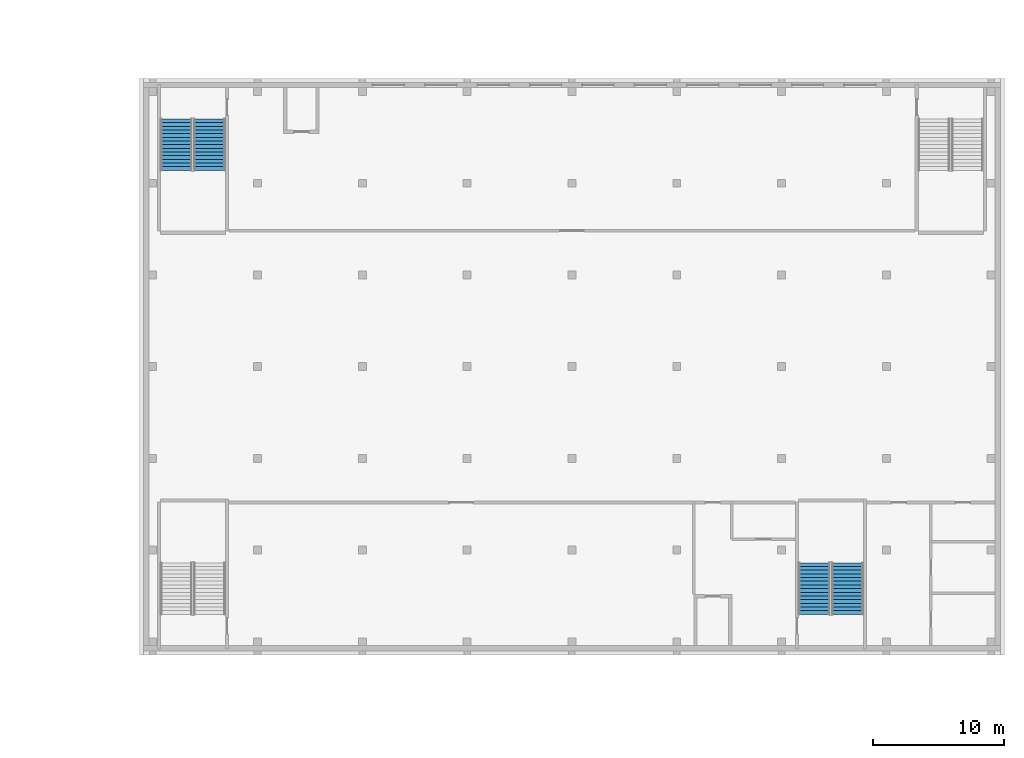
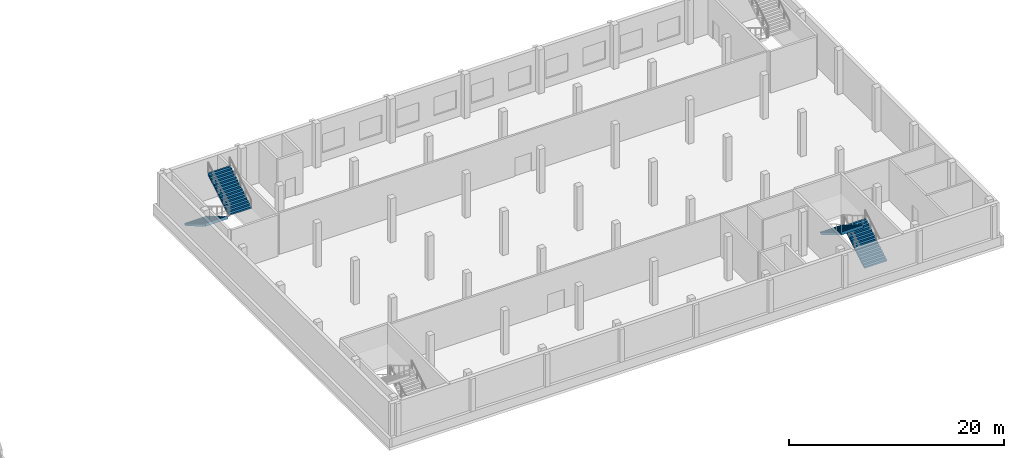
# One storey, part 19 of 32: 4 stair flights, 2 elements without a shape of their own.
"""IFC4 building model written with IfcOpenShell, lengths in metres."""

from ifc_helpers import new_model, si_unit, direction, frame, origin, place, context, subcontext, project, spatial, polyline, outline, extrude, material, type_object, element, aggregate, save


model = new_model("IFC4")

# Units and contexts
model_context = context("Model", 3, precision=1e-05, world=origin(), true_north=direction((0.0, 1.0)))
body_context = subcontext(model_context, "Body", "Model", "MODEL_VIEW")
ifc_project = project(units=[si_unit("LENGTHUNIT", "METRE"), si_unit("AREAUNIT", "SQUARE_METRE"), si_unit("VOLUMEUNIT", "CUBIC_METRE"), si_unit("PLANEANGLEUNIT", "RADIAN"), si_unit("MASSUNIT", "GRAM", prefix="KILO")], contexts=[model_context])

# Site, building, storey
site_placement = place(None, origin())
site = spatial("IfcSite", under=ifc_project, at=site_placement, CompositionType="ELEMENT")
building_placement = place(site_placement, origin())
building = spatial("IfcBuilding", under=site, at=building_placement, Name="Tamorin Gate", CompositionType="ELEMENT")
storey_placement = place(building_placement, frame((0.0, 0.0, 13.5)))
storey = spatial("IfcBuildingStorey", under=building, at=storey_placement, Name="L02", CompositionType="ELEMENT", Elevation=13.5)

# Stair, stair flights
ifc_material = material(Name="Concrete C40/50", Category="concrete")
stair_type = type_object("IfcStairType", Name="Museum exit stair 2400 C40/50", PredefinedType="HALF_TURN_STAIR", material=ifc_material)
stair_1_placement = place(storey_placement, origin())
stair_1 = element("IfcStair", 1, at=stair_1_placement, inside=storey, type_object=stair_type, Name="L02 PS6", PredefinedType="HALF_TURN_STAIR")
stair_flight_type = type_object("IfcStairFlightType", Name="Museum exit stair flight 2400 C40/50", PredefinedType="STRAIGHT", material=ifc_material)
stair_flight_1_placement = place(storey_placement, frame((147.5, 95.60009765625, 0.0), z_axis=(0.0, 0.0, 1.0), x_axis=(0.0, -1.0, 0.0)))
stair_flight_1 = element("IfcStairFlight", 2, at=stair_flight_1_placement, type_object=stair_flight_type, Name="PS6 flight 1", NumberOfRisers=15, NumberOfTreads=14, PredefinedType="STRAIGHT", RiserHeight=0.166666667, TreadLength=0.28, context=body_context, shape_type="SweptSolid", body=[
    extrude(outline(polyline([(-0.00048828125, 0.0), (-0.00048828125, 0.001708984375), (-0.00048828125, 0.00341796875), (-0.00048828125, 0.0048828125), (-0.00048828125, 0.006591796875), (-0.00048828125, 0.00830078125), (-0.00048828125, 0.010009765625), (-0.00048828125, 0.011474609375), (-0.00048828125, 0.01318359375), (-0.00048828125, 0.014892578125), (-0.00048828125, 0.0166015625), (-0.00048828125, 0.01806640625), (-0.00048828125, 0.019775390625), (-0.00048828125, 0.021484375), (-0.00048828125, 0.023193359375), (-0.00048828125, 0.024658203125), (-0.00048828125, 0.0263671875), (-0.00048828125, 0.028076171875), (-0.00048828125, 0.02978515625), (-0.00048828125, 0.03125), (-0.00048828125, 0.032958984375), (-0.00048828125, 0.03466796875), (-0.00048828125, 0.036376953125), (-0.00048828125, 0.037841796875), (-0.00048828125, 0.03955078125), (-0.00048828125, 0.041259765625), (-0.00048828125, 0.04296875), (-0.00048828125, 0.04443359375), (-0.00048828125, 0.046142578125), (-0.00048828125, 0.0478515625), (-0.00048828125, 0.049560546875), (-0.00048828125, 0.05126953125), (-0.00048828125, 0.052734375), (-0.00048828125, 0.054443359375), (-0.00048828125, 0.05615234375), (-0.00048828125, 0.057861328125), (-0.00048828125, 0.059326171875), (-0.00048828125, 0.06103515625), (-0.00048828125, 0.062744140625), (-0.00048828125, 0.064453125), (-0.00048828125, 0.06591796875), (-0.00048828125, 0.067626953125), (-0.00048828125, 0.0693359375), (-0.00048828125, 0.071044921875), (-0.00048828125, 0.072509765625), (-0.00048828125, 0.07421875), (-0.00048828125, 0.075927734375), (-0.00048828125, 0.07763671875), (-0.00048828125, 0.0791015625), (-0.00048828125, 0.080810546875), (-0.00048828125, 0.08251953125), (-0.00048828125, 0.084228515625), (-0.00048828125, 0.085693359375), (-0.00048828125, 0.08740234375), (-0.00048828125, 0.089111328125), (-0.00048828125, 0.0908203125), (-0.00048828125, 0.092529296875), (-0.00048828125, 0.093994140625), (-0.00048828125, 0.095703125), (-0.00048828125, 0.097412109375), (-0.00048828125, 0.09912109375), (-0.00048828125, 0.1005859375), (-0.00048828125, 0.102294921875), (-0.00048828125, 0.10400390625), (-0.00048828125, 0.105712890625), (-0.00048828125, 0.107177734375), (-0.00048828125, 0.10888671875), (-0.00048828125, 0.110595703125), (-0.00048828125, 0.1123046875), (-0.00048828125, 0.11376953125), (-0.00048828125, 0.115478515625), (-0.00048828125, 0.1171875), (-0.00048828125, 0.118896484375), (-0.00048828125, 0.120361328125), (-0.00048828125, 0.1220703125), (-0.00048828125, 0.123779296875), (-0.00048828125, 0.12548828125), (-0.00048828125, 0.126953125), (-0.00048828125, 0.128662109375), (-0.00048828125, 0.13037109375), (-0.00048828125, 0.132080078125), (-0.00048828125, 0.133544921875), (-0.00048828125, 0.13525390625), (-0.00048828125, 0.136962890625), (-0.00048828125, 0.138671875), (-0.00048828125, 0.140380859375), (-0.00048828125, 0.141845703125), (-0.00048828125, 0.1435546875), (-0.00048828125, 0.145263671875), (-0.00048828125, 0.14697265625), (-0.00048828125, 0.1484375), (-0.00048828125, 0.150146484375), (-0.00048828125, 0.15185546875), (-0.00048828125, 0.153564453125), (-0.00048828125, 0.155029296875), (-0.00048828125, 0.15673828125), (-0.00048828125, 0.158447265625), (-0.00048828125, 0.16015625), (-0.00048828125, 0.16162109375), (-0.00048828125, 0.163330078125), (-0.00048828125, 0.1650390625), (-0.00048828125, 0.166748046875), (0.280029296875, 0.166748046875), (0.280029296875, 0.333251953125), (0.56005859375, 0.333251953125), (0.56005859375, 0.5), (0.840087890625, 0.5), (0.840087890625, 0.666748046875), (1.1201171875, 0.666748046875), (1.1201171875, 0.833251953125), (1.39990234375, 0.833251953125), (1.39990234375, 1.0), (1.679931640625, 1.0), (1.679931640625, 1.166748046875), (1.9599609375, 1.166748046875), (1.9599609375, 1.333251953125), (2.239990234375, 1.333251953125), (2.239990234375, 1.5), (2.52001953125, 1.5), (2.52001953125, 1.666748046875), (2.800048828125, 1.666748046875), (2.800048828125, 1.833251953125), (3.080078125, 1.833251953125), (3.080078125, 2.0), (3.360107421875, 2.0), (3.360107421875, 2.166748046875), (3.639892578125, 2.166748046875), (3.639892578125, 2.333251953125), (3.919921875, 2.333251953125), (3.919921875, 2.5), (3.92041015625, 2.5), (3.92041015625, 2.49658203125), (3.92041015625, 2.4931640625), (3.92041015625, 2.48974609375), (3.92041015625, 2.486572265625), (3.92041015625, 2.483154296875), (3.92041015625, 2.479736328125), (3.92041015625, 2.476318359375), (3.92041015625, 2.472900390625), (3.92041015625, 2.469482421875), (3.92041015625, 2.46630859375), (3.92041015625, 2.462890625), (3.92041015625, 2.45947265625), (3.92041015625, 2.4560546875), (3.92041015625, 2.45263671875), (3.92041015625, 2.44921875), (3.92041015625, 2.446044921875), (3.92041015625, 2.442626953125), (3.92041015625, 2.439208984375), (3.92041015625, 2.435791015625), (3.92041015625, 2.432373046875), (3.92041015625, 2.428955078125), (3.92041015625, 2.42578125), (3.92041015625, 2.42236328125), (3.92041015625, 2.4189453125), (3.92041015625, 2.41552734375), (3.92041015625, 2.412109375), (3.92041015625, 2.40869140625), (3.92041015625, 2.405517578125), (3.92041015625, 2.402099609375), (3.92041015625, 2.398681640625), (3.92041015625, 2.395263671875), (3.92041015625, 2.391845703125), (3.92041015625, 2.388427734375), (3.92041015625, 2.38525390625), (3.92041015625, 2.3818359375), (3.92041015625, 2.37841796875), (3.92041015625, 2.375), (3.92041015625, 2.37158203125), (3.92041015625, 2.3681640625), (3.92041015625, 2.364990234375), (3.92041015625, 2.361572265625), (3.92041015625, 2.358154296875), (3.92041015625, 2.354736328125), (3.92041015625, 2.351318359375), (3.92041015625, 2.347900390625), (3.92041015625, 2.3447265625), (3.92041015625, 2.34130859375), (3.92041015625, 2.337890625), (3.92041015625, 2.33447265625), (3.92041015625, 2.3310546875), (3.92041015625, 2.32763671875), (3.92041015625, 2.324462890625), (3.92041015625, 2.321044921875), (3.92041015625, 2.317626953125), (3.92041015625, 2.314208984375), (3.92041015625, 2.310791015625), (3.92041015625, 2.307373046875), (3.92041015625, 2.30419921875), (3.92041015625, 2.30078125), (3.92041015625, 2.29736328125), (3.92041015625, 2.2939453125), (3.92041015625, 2.29052734375), (3.92041015625, 2.287109375), (3.92041015625, 2.283935546875), (3.92041015625, 2.280517578125), (3.92041015625, 2.277099609375), (3.92041015625, 2.273681640625), (3.92041015625, 2.270263671875), (3.92041015625, 2.266845703125), (3.92041015625, 2.263671875), (3.92041015625, 2.26025390625), (3.92041015625, 2.2568359375), (3.92041015625, 2.25341796875), (3.92041015625, 2.25), (3.92041015625, 2.24658203125), (3.92041015625, 2.243408203125), (3.92041015625, 2.239990234375), (3.92041015625, 2.236572265625), (3.92041015625, 2.233154296875), (3.92041015625, 2.229736328125), (3.92041015625, 2.226318359375), (3.92041015625, 2.22314453125), (3.92041015625, 2.2197265625), (3.92041015625, 2.21630859375), (3.92041015625, 2.212890625), (3.92041015625, 2.20947265625), (3.92041015625, 2.2060546875), (3.92041015625, 2.202880859375), (3.92041015625, 2.199462890625), (3.92041015625, 2.196044921875), (3.92041015625, 2.192626953125), (3.92041015625, 2.189208984375), (3.92041015625, 2.185791015625), (3.92041015625, 2.1826171875), (3.92041015625, 2.17919921875), (3.92041015625, 2.17578125), (3.92041015625, 2.17236328125), (3.92041015625, 2.1689453125), (3.92041015625, 2.16552734375), (3.92041015625, 2.162353515625), (3.92041015625, 2.158935546875), (3.919921875, 2.158935546875), (0.29296875, 0.0), (-0.00048828125, 0.0)])), frame((0.0, 1.199951171875, 0.0), z_axis=(0.0, -1.0, 0.0), x_axis=(1.0, 0.0, 0.0)), (0.0, 0.0, 1.0), 2.39990234375),
])
stair_flight_2_placement = place(storey_placement, frame((150.050048828125, 91.679931640625, 2.5), z_axis=(0.0, 0.0, 1.0), x_axis=(0.0, 1.0, 0.0)))
stair_flight_2 = element("IfcStairFlight", 3, at=stair_flight_2_placement, type_object=stair_flight_type, Name="PS6 flight 2", NumberOfRisers=15, NumberOfTreads=14, PredefinedType="STRAIGHT", RiserHeight=0.166666667, TreadLength=0.28, context=body_context, shape_type="SweptSolid", body=[
    extrude(outline(polyline([(-0.00048828125, 0.0), (-0.00048828125, 0.001708984375), (-0.00048828125, 0.00341796875), (-0.00048828125, 0.0048828125), (-0.00048828125, 0.006591796875), (-0.00048828125, 0.00830078125), (-0.00048828125, 0.010009765625), (-0.00048828125, 0.011474609375), (-0.00048828125, 0.01318359375), (-0.00048828125, 0.014892578125), (-0.00048828125, 0.0166015625), (-0.00048828125, 0.01806640625), (-0.00048828125, 0.019775390625), (-0.00048828125, 0.021484375), (-0.00048828125, 0.023193359375), (-0.00048828125, 0.024658203125), (-0.00048828125, 0.0263671875), (-0.00048828125, 0.028076171875), (-0.00048828125, 0.02978515625), (-0.00048828125, 0.03125), (-0.00048828125, 0.032958984375), (-0.00048828125, 0.03466796875), (-0.00048828125, 0.036376953125), (-0.00048828125, 0.037841796875), (-0.00048828125, 0.03955078125), (-0.00048828125, 0.041259765625), (-0.00048828125, 0.04296875), (-0.00048828125, 0.04443359375), (-0.00048828125, 0.046142578125), (-0.00048828125, 0.0478515625), (-0.00048828125, 0.049560546875), (-0.00048828125, 0.05126953125), (-0.00048828125, 0.052734375), (-0.00048828125, 0.054443359375), (-0.00048828125, 0.05615234375), (-0.00048828125, 0.057861328125), (-0.00048828125, 0.059326171875), (-0.00048828125, 0.06103515625), (-0.00048828125, 0.062744140625), (-0.00048828125, 0.064453125), (-0.00048828125, 0.06591796875), (-0.00048828125, 0.067626953125), (-0.00048828125, 0.0693359375), (-0.00048828125, 0.071044921875), (-0.00048828125, 0.072509765625), (-0.00048828125, 0.07421875), (-0.00048828125, 0.075927734375), (-0.00048828125, 0.07763671875), (-0.00048828125, 0.0791015625), (-0.00048828125, 0.080810546875), (-0.00048828125, 0.08251953125), (-0.00048828125, 0.084228515625), (-0.00048828125, 0.085693359375), (-0.00048828125, 0.08740234375), (-0.00048828125, 0.089111328125), (-0.00048828125, 0.0908203125), (-0.00048828125, 0.092529296875), (-0.00048828125, 0.093994140625), (-0.00048828125, 0.095703125), (-0.00048828125, 0.097412109375), (-0.00048828125, 0.09912109375), (-0.00048828125, 0.1005859375), (-0.00048828125, 0.102294921875), (-0.00048828125, 0.10400390625), (-0.00048828125, 0.105712890625), (-0.00048828125, 0.107177734375), (-0.00048828125, 0.10888671875), (-0.00048828125, 0.110595703125), (-0.00048828125, 0.1123046875), (-0.00048828125, 0.11376953125), (-0.00048828125, 0.115478515625), (-0.00048828125, 0.1171875), (-0.00048828125, 0.118896484375), (-0.00048828125, 0.120361328125), (-0.00048828125, 0.1220703125), (-0.00048828125, 0.123779296875), (-0.00048828125, 0.12548828125), (-0.00048828125, 0.126953125), (-0.00048828125, 0.128662109375), (-0.00048828125, 0.13037109375), (-0.00048828125, 0.132080078125), (-0.00048828125, 0.133544921875), (-0.00048828125, 0.13525390625), (-0.00048828125, 0.136962890625), (-0.00048828125, 0.138671875), (-0.00048828125, 0.140380859375), (-0.00048828125, 0.141845703125), (-0.00048828125, 0.1435546875), (-0.00048828125, 0.145263671875), (-0.00048828125, 0.14697265625), (-0.00048828125, 0.1484375), (-0.00048828125, 0.150146484375), (-0.00048828125, 0.15185546875), (-0.00048828125, 0.153564453125), (-0.00048828125, 0.155029296875), (-0.00048828125, 0.15673828125), (-0.00048828125, 0.158447265625), (-0.00048828125, 0.16015625), (-0.00048828125, 0.16162109375), (-0.00048828125, 0.163330078125), (-0.00048828125, 0.1650390625), (-0.00048828125, 0.166748046875), (0.280029296875, 0.166748046875), (0.280029296875, 0.333251953125), (0.56005859375, 0.333251953125), (0.56005859375, 0.5), (0.840087890625, 0.5), (0.840087890625, 0.666748046875), (1.1201171875, 0.666748046875), (1.1201171875, 0.833251953125), (1.39990234375, 0.833251953125), (1.39990234375, 1.0), (1.679931640625, 1.0), (1.679931640625, 1.166748046875), (1.9599609375, 1.166748046875), (1.9599609375, 1.333251953125), (2.239990234375, 1.333251953125), (2.239990234375, 1.5), (2.52001953125, 1.5), (2.52001953125, 1.666748046875), (2.800048828125, 1.666748046875), (2.800048828125, 1.833251953125), (3.080078125, 1.833251953125), (3.080078125, 2.0), (3.360107421875, 2.0), (3.360107421875, 2.166748046875), (3.639892578125, 2.166748046875), (3.639892578125, 2.333251953125), (3.919921875, 2.333251953125), (3.919921875, 2.5), (3.92041015625, 2.5), (3.92041015625, 2.49658203125), (3.92041015625, 2.4931640625), (3.92041015625, 2.48974609375), (3.92041015625, 2.486572265625), (3.92041015625, 2.483154296875), (3.92041015625, 2.479736328125), (3.92041015625, 2.476318359375), (3.92041015625, 2.472900390625), (3.92041015625, 2.469482421875), (3.92041015625, 2.46630859375), (3.92041015625, 2.462890625), (3.92041015625, 2.45947265625), (3.92041015625, 2.4560546875), (3.92041015625, 2.45263671875), (3.92041015625, 2.44921875), (3.92041015625, 2.446044921875), (3.92041015625, 2.442626953125), (3.92041015625, 2.439208984375), (3.92041015625, 2.435791015625), (3.92041015625, 2.432373046875), (3.92041015625, 2.428955078125), (3.92041015625, 2.42578125), (3.92041015625, 2.42236328125), (3.92041015625, 2.4189453125), (3.92041015625, 2.41552734375), (3.92041015625, 2.412109375), (3.92041015625, 2.40869140625), (3.92041015625, 2.405517578125), (3.92041015625, 2.402099609375), (3.92041015625, 2.398681640625), (3.92041015625, 2.395263671875), (3.92041015625, 2.391845703125), (3.92041015625, 2.388427734375), (3.92041015625, 2.38525390625), (3.92041015625, 2.3818359375), (3.92041015625, 2.37841796875), (3.92041015625, 2.375), (3.92041015625, 2.37158203125), (3.92041015625, 2.3681640625), (3.92041015625, 2.364990234375), (3.92041015625, 2.361572265625), (3.92041015625, 2.358154296875), (3.92041015625, 2.354736328125), (3.92041015625, 2.351318359375), (3.92041015625, 2.347900390625), (3.92041015625, 2.3447265625), (3.92041015625, 2.34130859375), (3.92041015625, 2.337890625), (3.92041015625, 2.33447265625), (3.92041015625, 2.3310546875), (3.92041015625, 2.32763671875), (3.92041015625, 2.324462890625), (3.92041015625, 2.321044921875), (3.92041015625, 2.317626953125), (3.92041015625, 2.314208984375), (3.92041015625, 2.310791015625), (3.92041015625, 2.307373046875), (3.92041015625, 2.30419921875), (3.92041015625, 2.30078125), (3.92041015625, 2.29736328125), (3.92041015625, 2.2939453125), (3.92041015625, 2.29052734375), (3.92041015625, 2.287109375), (3.92041015625, 2.283935546875), (3.92041015625, 2.280517578125), (3.92041015625, 2.277099609375), (3.92041015625, 2.273681640625), (3.92041015625, 2.270263671875), (3.92041015625, 2.266845703125), (3.92041015625, 2.263671875), (3.92041015625, 2.26025390625), (3.92041015625, 2.2568359375), (3.92041015625, 2.25341796875), (3.92041015625, 2.25), (3.92041015625, 2.24658203125), (3.92041015625, 2.243408203125), (3.92041015625, 2.239990234375), (3.92041015625, 2.236572265625), (3.92041015625, 2.233154296875), (3.92041015625, 2.229736328125), (3.92041015625, 2.226318359375), (3.92041015625, 2.22314453125), (3.92041015625, 2.2197265625), (3.92041015625, 2.21630859375), (3.92041015625, 2.212890625), (3.92041015625, 2.20947265625), (3.92041015625, 2.2060546875), (3.92041015625, 2.202880859375), (3.92041015625, 2.199462890625), (3.92041015625, 2.196044921875), (3.92041015625, 2.192626953125), (3.92041015625, 2.189208984375), (3.92041015625, 2.185791015625), (3.92041015625, 2.1826171875), (3.92041015625, 2.17919921875), (3.92041015625, 2.17578125), (3.92041015625, 2.17236328125), (3.92041015625, 2.1689453125), (3.92041015625, 2.16552734375), (3.92041015625, 2.162353515625), (3.92041015625, 2.158935546875), (3.919921875, 2.158935546875), (0.29296875, 0.0), (-0.00048828125, 0.0)])), frame((0.0, 1.199951171875, 0.0), z_axis=(0.0, -1.0, 0.0), x_axis=(1.0, 0.0, 0.0)), (0.0, 0.0, 1.0), 2.39990234375),
])
aggregate(stair_1, [stair_flight_1, stair_flight_2])

stair_2_placement = place(storey_placement, origin())
stair_2 = element("IfcStair", 4, at=stair_2_placement, inside=storey, type_object=stair_type, Name="L02 PS7", PredefinedType="HALF_TURN_STAIR")
stair_flight_3_placement = place(storey_placement, frame((198.75, 57.800048828125, 0.0), z_axis=(0.0, 0.0, 1.0), x_axis=(0.0, 1.0, 0.0)))
stair_flight_3 = element("IfcStairFlight", 5, at=stair_flight_3_placement, type_object=stair_flight_type, Name="PS7 flight 1", NumberOfRisers=15, NumberOfTreads=14, PredefinedType="STRAIGHT", RiserHeight=0.166666667, TreadLength=0.28, context=body_context, shape_type="SweptSolid", body=[
    extrude(outline(polyline([(-0.00048828125, 0.0), (-0.00048828125, 0.001708984375), (-0.00048828125, 0.00341796875), (-0.00048828125, 0.0048828125), (-0.00048828125, 0.006591796875), (-0.00048828125, 0.00830078125), (-0.00048828125, 0.010009765625), (-0.00048828125, 0.011474609375), (-0.00048828125, 0.01318359375), (-0.00048828125, 0.014892578125), (-0.00048828125, 0.0166015625), (-0.00048828125, 0.01806640625), (-0.00048828125, 0.019775390625), (-0.00048828125, 0.021484375), (-0.00048828125, 0.023193359375), (-0.00048828125, 0.024658203125), (-0.00048828125, 0.0263671875), (-0.00048828125, 0.028076171875), (-0.00048828125, 0.02978515625), (-0.00048828125, 0.03125), (-0.00048828125, 0.032958984375), (-0.00048828125, 0.03466796875), (-0.00048828125, 0.036376953125), (-0.00048828125, 0.037841796875), (-0.00048828125, 0.03955078125), (-0.00048828125, 0.041259765625), (-0.00048828125, 0.04296875), (-0.00048828125, 0.04443359375), (-0.00048828125, 0.046142578125), (-0.00048828125, 0.0478515625), (-0.00048828125, 0.049560546875), (-0.00048828125, 0.05126953125), (-0.00048828125, 0.052734375), (-0.00048828125, 0.054443359375), (-0.00048828125, 0.05615234375), (-0.00048828125, 0.057861328125), (-0.00048828125, 0.059326171875), (-0.00048828125, 0.06103515625), (-0.00048828125, 0.062744140625), (-0.00048828125, 0.064453125), (-0.00048828125, 0.06591796875), (-0.00048828125, 0.067626953125), (-0.00048828125, 0.0693359375), (-0.00048828125, 0.071044921875), (-0.00048828125, 0.072509765625), (-0.00048828125, 0.07421875), (-0.00048828125, 0.075927734375), (-0.00048828125, 0.07763671875), (-0.00048828125, 0.0791015625), (-0.00048828125, 0.080810546875), (-0.00048828125, 0.08251953125), (-0.00048828125, 0.084228515625), (-0.00048828125, 0.085693359375), (-0.00048828125, 0.08740234375), (-0.00048828125, 0.089111328125), (-0.00048828125, 0.0908203125), (-0.00048828125, 0.092529296875), (-0.00048828125, 0.093994140625), (-0.00048828125, 0.095703125), (-0.00048828125, 0.097412109375), (-0.00048828125, 0.09912109375), (-0.00048828125, 0.1005859375), (-0.00048828125, 0.102294921875), (-0.00048828125, 0.10400390625), (-0.00048828125, 0.105712890625), (-0.00048828125, 0.107177734375), (-0.00048828125, 0.10888671875), (-0.00048828125, 0.110595703125), (-0.00048828125, 0.1123046875), (-0.00048828125, 0.11376953125), (-0.00048828125, 0.115478515625), (-0.00048828125, 0.1171875), (-0.00048828125, 0.118896484375), (-0.00048828125, 0.120361328125), (-0.00048828125, 0.1220703125), (-0.00048828125, 0.123779296875), (-0.00048828125, 0.12548828125), (-0.00048828125, 0.126953125), (-0.00048828125, 0.128662109375), (-0.00048828125, 0.13037109375), (-0.00048828125, 0.132080078125), (-0.00048828125, 0.133544921875), (-0.00048828125, 0.13525390625), (-0.00048828125, 0.136962890625), (-0.00048828125, 0.138671875), (-0.00048828125, 0.140380859375), (-0.00048828125, 0.141845703125), (-0.00048828125, 0.1435546875), (-0.00048828125, 0.145263671875), (-0.00048828125, 0.14697265625), (-0.00048828125, 0.1484375), (-0.00048828125, 0.150146484375), (-0.00048828125, 0.15185546875), (-0.00048828125, 0.153564453125), (-0.00048828125, 0.155029296875), (-0.00048828125, 0.15673828125), (-0.00048828125, 0.158447265625), (-0.00048828125, 0.16015625), (-0.00048828125, 0.16162109375), (-0.00048828125, 0.163330078125), (-0.00048828125, 0.1650390625), (-0.00048828125, 0.166748046875), (0.280029296875, 0.166748046875), (0.280029296875, 0.333251953125), (0.56005859375, 0.333251953125), (0.56005859375, 0.5), (0.840087890625, 0.5), (0.840087890625, 0.666748046875), (1.1201171875, 0.666748046875), (1.1201171875, 0.833251953125), (1.39990234375, 0.833251953125), (1.39990234375, 1.0), (1.679931640625, 1.0), (1.679931640625, 1.166748046875), (1.9599609375, 1.166748046875), (1.9599609375, 1.333251953125), (2.239990234375, 1.333251953125), (2.239990234375, 1.5), (2.52001953125, 1.5), (2.52001953125, 1.666748046875), (2.800048828125, 1.666748046875), (2.800048828125, 1.833251953125), (3.080078125, 1.833251953125), (3.080078125, 2.0), (3.360107421875, 2.0), (3.360107421875, 2.166748046875), (3.639892578125, 2.166748046875), (3.639892578125, 2.333251953125), (3.919921875, 2.333251953125), (3.919921875, 2.5), (3.92041015625, 2.5), (3.92041015625, 2.49658203125), (3.92041015625, 2.4931640625), (3.92041015625, 2.48974609375), (3.92041015625, 2.486572265625), (3.92041015625, 2.483154296875), (3.92041015625, 2.479736328125), (3.92041015625, 2.476318359375), (3.92041015625, 2.472900390625), (3.92041015625, 2.469482421875), (3.92041015625, 2.46630859375), (3.92041015625, 2.462890625), (3.92041015625, 2.45947265625), (3.92041015625, 2.4560546875), (3.92041015625, 2.45263671875), (3.92041015625, 2.44921875), (3.92041015625, 2.446044921875), (3.92041015625, 2.442626953125), (3.92041015625, 2.439208984375), (3.92041015625, 2.435791015625), (3.92041015625, 2.432373046875), (3.92041015625, 2.428955078125), (3.92041015625, 2.42578125), (3.92041015625, 2.42236328125), (3.92041015625, 2.4189453125), (3.92041015625, 2.41552734375), (3.92041015625, 2.412109375), (3.92041015625, 2.40869140625), (3.92041015625, 2.405517578125), (3.92041015625, 2.402099609375), (3.92041015625, 2.398681640625), (3.92041015625, 2.395263671875), (3.92041015625, 2.391845703125), (3.92041015625, 2.388427734375), (3.92041015625, 2.38525390625), (3.92041015625, 2.3818359375), (3.92041015625, 2.37841796875), (3.92041015625, 2.375), (3.92041015625, 2.37158203125), (3.92041015625, 2.3681640625), (3.92041015625, 2.364990234375), (3.92041015625, 2.361572265625), (3.92041015625, 2.358154296875), (3.92041015625, 2.354736328125), (3.92041015625, 2.351318359375), (3.92041015625, 2.347900390625), (3.92041015625, 2.3447265625), (3.92041015625, 2.34130859375), (3.92041015625, 2.337890625), (3.92041015625, 2.33447265625), (3.92041015625, 2.3310546875), (3.92041015625, 2.32763671875), (3.92041015625, 2.324462890625), (3.92041015625, 2.321044921875), (3.92041015625, 2.317626953125), (3.92041015625, 2.314208984375), (3.92041015625, 2.310791015625), (3.92041015625, 2.307373046875), (3.92041015625, 2.30419921875), (3.92041015625, 2.30078125), (3.92041015625, 2.29736328125), (3.92041015625, 2.2939453125), (3.92041015625, 2.29052734375), (3.92041015625, 2.287109375), (3.92041015625, 2.283935546875), (3.92041015625, 2.280517578125), (3.92041015625, 2.277099609375), (3.92041015625, 2.273681640625), (3.92041015625, 2.270263671875), (3.92041015625, 2.266845703125), (3.92041015625, 2.263671875), (3.92041015625, 2.26025390625), (3.92041015625, 2.2568359375), (3.92041015625, 2.25341796875), (3.92041015625, 2.25), (3.92041015625, 2.24658203125), (3.92041015625, 2.243408203125), (3.92041015625, 2.239990234375), (3.92041015625, 2.236572265625), (3.92041015625, 2.233154296875), (3.92041015625, 2.229736328125), (3.92041015625, 2.226318359375), (3.92041015625, 2.22314453125), (3.92041015625, 2.2197265625), (3.92041015625, 2.21630859375), (3.92041015625, 2.212890625), (3.92041015625, 2.20947265625), (3.92041015625, 2.2060546875), (3.92041015625, 2.202880859375), (3.92041015625, 2.199462890625), (3.92041015625, 2.196044921875), (3.92041015625, 2.192626953125), (3.92041015625, 2.189208984375), (3.92041015625, 2.185791015625), (3.92041015625, 2.1826171875), (3.92041015625, 2.17919921875), (3.92041015625, 2.17578125), (3.92041015625, 2.17236328125), (3.92041015625, 2.1689453125), (3.92041015625, 2.16552734375), (3.92041015625, 2.162353515625), (3.92041015625, 2.158935546875), (3.919921875, 2.158935546875), (0.29296875, 0.0), (-0.00048828125, 0.0)])), frame((0.0, 1.199951171875, 0.0), z_axis=(0.0, -1.0, 0.0), x_axis=(1.0, 0.0, 0.0)), (0.0, 0.0, 1.0), 2.39990234375),
])
stair_flight_4_placement = place(storey_placement, frame((196.199951171875, 61.719970703125, 2.5), z_axis=(0.0, 0.0, 1.0), x_axis=(0.0, -1.0, 0.0)))
stair_flight_4 = element("IfcStairFlight", 6, at=stair_flight_4_placement, type_object=stair_flight_type, Name="PS7 flight 2", NumberOfRisers=15, NumberOfTreads=14, PredefinedType="STRAIGHT", RiserHeight=0.166666667, TreadLength=0.28, context=body_context, shape_type="SweptSolid", body=[
    extrude(outline(polyline([(-0.00048828125, 0.0), (-0.00048828125, 0.001708984375), (-0.00048828125, 0.00341796875), (-0.00048828125, 0.0048828125), (-0.00048828125, 0.006591796875), (-0.00048828125, 0.00830078125), (-0.00048828125, 0.010009765625), (-0.00048828125, 0.011474609375), (-0.00048828125, 0.01318359375), (-0.00048828125, 0.014892578125), (-0.00048828125, 0.0166015625), (-0.00048828125, 0.01806640625), (-0.00048828125, 0.019775390625), (-0.00048828125, 0.021484375), (-0.00048828125, 0.023193359375), (-0.00048828125, 0.024658203125), (-0.00048828125, 0.0263671875), (-0.00048828125, 0.028076171875), (-0.00048828125, 0.02978515625), (-0.00048828125, 0.03125), (-0.00048828125, 0.032958984375), (-0.00048828125, 0.03466796875), (-0.00048828125, 0.036376953125), (-0.00048828125, 0.037841796875), (-0.00048828125, 0.03955078125), (-0.00048828125, 0.041259765625), (-0.00048828125, 0.04296875), (-0.00048828125, 0.04443359375), (-0.00048828125, 0.046142578125), (-0.00048828125, 0.0478515625), (-0.00048828125, 0.049560546875), (-0.00048828125, 0.05126953125), (-0.00048828125, 0.052734375), (-0.00048828125, 0.054443359375), (-0.00048828125, 0.05615234375), (-0.00048828125, 0.057861328125), (-0.00048828125, 0.059326171875), (-0.00048828125, 0.06103515625), (-0.00048828125, 0.062744140625), (-0.00048828125, 0.064453125), (-0.00048828125, 0.06591796875), (-0.00048828125, 0.067626953125), (-0.00048828125, 0.0693359375), (-0.00048828125, 0.071044921875), (-0.00048828125, 0.072509765625), (-0.00048828125, 0.07421875), (-0.00048828125, 0.075927734375), (-0.00048828125, 0.07763671875), (-0.00048828125, 0.0791015625), (-0.00048828125, 0.080810546875), (-0.00048828125, 0.08251953125), (-0.00048828125, 0.084228515625), (-0.00048828125, 0.085693359375), (-0.00048828125, 0.08740234375), (-0.00048828125, 0.089111328125), (-0.00048828125, 0.0908203125), (-0.00048828125, 0.092529296875), (-0.00048828125, 0.093994140625), (-0.00048828125, 0.095703125), (-0.00048828125, 0.097412109375), (-0.00048828125, 0.09912109375), (-0.00048828125, 0.1005859375), (-0.00048828125, 0.102294921875), (-0.00048828125, 0.10400390625), (-0.00048828125, 0.105712890625), (-0.00048828125, 0.107177734375), (-0.00048828125, 0.10888671875), (-0.00048828125, 0.110595703125), (-0.00048828125, 0.1123046875), (-0.00048828125, 0.11376953125), (-0.00048828125, 0.115478515625), (-0.00048828125, 0.1171875), (-0.00048828125, 0.118896484375), (-0.00048828125, 0.120361328125), (-0.00048828125, 0.1220703125), (-0.00048828125, 0.123779296875), (-0.00048828125, 0.12548828125), (-0.00048828125, 0.126953125), (-0.00048828125, 0.128662109375), (-0.00048828125, 0.13037109375), (-0.00048828125, 0.132080078125), (-0.00048828125, 0.133544921875), (-0.00048828125, 0.13525390625), (-0.00048828125, 0.136962890625), (-0.00048828125, 0.138671875), (-0.00048828125, 0.140380859375), (-0.00048828125, 0.141845703125), (-0.00048828125, 0.1435546875), (-0.00048828125, 0.145263671875), (-0.00048828125, 0.14697265625), (-0.00048828125, 0.1484375), (-0.00048828125, 0.150146484375), (-0.00048828125, 0.15185546875), (-0.00048828125, 0.153564453125), (-0.00048828125, 0.155029296875), (-0.00048828125, 0.15673828125), (-0.00048828125, 0.158447265625), (-0.00048828125, 0.16015625), (-0.00048828125, 0.16162109375), (-0.00048828125, 0.163330078125), (-0.00048828125, 0.1650390625), (-0.00048828125, 0.166748046875), (0.280029296875, 0.166748046875), (0.280029296875, 0.333251953125), (0.56005859375, 0.333251953125), (0.56005859375, 0.5), (0.840087890625, 0.5), (0.840087890625, 0.666748046875), (1.1201171875, 0.666748046875), (1.1201171875, 0.833251953125), (1.39990234375, 0.833251953125), (1.39990234375, 1.0), (1.679931640625, 1.0), (1.679931640625, 1.166748046875), (1.9599609375, 1.166748046875), (1.9599609375, 1.333251953125), (2.239990234375, 1.333251953125), (2.239990234375, 1.5), (2.52001953125, 1.5), (2.52001953125, 1.666748046875), (2.800048828125, 1.666748046875), (2.800048828125, 1.833251953125), (3.080078125, 1.833251953125), (3.080078125, 2.0), (3.360107421875, 2.0), (3.360107421875, 2.166748046875), (3.639892578125, 2.166748046875), (3.639892578125, 2.333251953125), (3.919921875, 2.333251953125), (3.919921875, 2.5), (3.92041015625, 2.5), (3.92041015625, 2.49658203125), (3.92041015625, 2.4931640625), (3.92041015625, 2.48974609375), (3.92041015625, 2.486572265625), (3.92041015625, 2.483154296875), (3.92041015625, 2.479736328125), (3.92041015625, 2.476318359375), (3.92041015625, 2.472900390625), (3.92041015625, 2.469482421875), (3.92041015625, 2.46630859375), (3.92041015625, 2.462890625), (3.92041015625, 2.45947265625), (3.92041015625, 2.4560546875), (3.92041015625, 2.45263671875), (3.92041015625, 2.44921875), (3.92041015625, 2.446044921875), (3.92041015625, 2.442626953125), (3.92041015625, 2.439208984375), (3.92041015625, 2.435791015625), (3.92041015625, 2.432373046875), (3.92041015625, 2.428955078125), (3.92041015625, 2.42578125), (3.92041015625, 2.42236328125), (3.92041015625, 2.4189453125), (3.92041015625, 2.41552734375), (3.92041015625, 2.412109375), (3.92041015625, 2.40869140625), (3.92041015625, 2.405517578125), (3.92041015625, 2.402099609375), (3.92041015625, 2.398681640625), (3.92041015625, 2.395263671875), (3.92041015625, 2.391845703125), (3.92041015625, 2.388427734375), (3.92041015625, 2.38525390625), (3.92041015625, 2.3818359375), (3.92041015625, 2.37841796875), (3.92041015625, 2.375), (3.92041015625, 2.37158203125), (3.92041015625, 2.3681640625), (3.92041015625, 2.364990234375), (3.92041015625, 2.361572265625), (3.92041015625, 2.358154296875), (3.92041015625, 2.354736328125), (3.92041015625, 2.351318359375), (3.92041015625, 2.347900390625), (3.92041015625, 2.3447265625), (3.92041015625, 2.34130859375), (3.92041015625, 2.337890625), (3.92041015625, 2.33447265625), (3.92041015625, 2.3310546875), (3.92041015625, 2.32763671875), (3.92041015625, 2.324462890625), (3.92041015625, 2.321044921875), (3.92041015625, 2.317626953125), (3.92041015625, 2.314208984375), (3.92041015625, 2.310791015625), (3.92041015625, 2.307373046875), (3.92041015625, 2.30419921875), (3.92041015625, 2.30078125), (3.92041015625, 2.29736328125), (3.92041015625, 2.2939453125), (3.92041015625, 2.29052734375), (3.92041015625, 2.287109375), (3.92041015625, 2.283935546875), (3.92041015625, 2.280517578125), (3.92041015625, 2.277099609375), (3.92041015625, 2.273681640625), (3.92041015625, 2.270263671875), (3.92041015625, 2.266845703125), (3.92041015625, 2.263671875), (3.92041015625, 2.26025390625), (3.92041015625, 2.2568359375), (3.92041015625, 2.25341796875), (3.92041015625, 2.25), (3.92041015625, 2.24658203125), (3.92041015625, 2.243408203125), (3.92041015625, 2.239990234375), (3.92041015625, 2.236572265625), (3.92041015625, 2.233154296875), (3.92041015625, 2.229736328125), (3.92041015625, 2.226318359375), (3.92041015625, 2.22314453125), (3.92041015625, 2.2197265625), (3.92041015625, 2.21630859375), (3.92041015625, 2.212890625), (3.92041015625, 2.20947265625), (3.92041015625, 2.2060546875), (3.92041015625, 2.202880859375), (3.92041015625, 2.199462890625), (3.92041015625, 2.196044921875), (3.92041015625, 2.192626953125), (3.92041015625, 2.189208984375), (3.92041015625, 2.185791015625), (3.92041015625, 2.1826171875), (3.92041015625, 2.17919921875), (3.92041015625, 2.17578125), (3.92041015625, 2.17236328125), (3.92041015625, 2.1689453125), (3.92041015625, 2.16552734375), (3.92041015625, 2.162353515625), (3.92041015625, 2.158935546875), (3.919921875, 2.158935546875), (0.29296875, 0.0), (-0.00048828125, 0.0)])), frame((0.0, 1.199951171875, 0.0), z_axis=(0.0, -1.0, 0.0), x_axis=(1.0, 0.0, 0.0)), (0.0, 0.0, 1.0), 2.39990234375),
])
aggregate(stair_2, [stair_flight_3, stair_flight_4])

save(model, "model.ifc")
